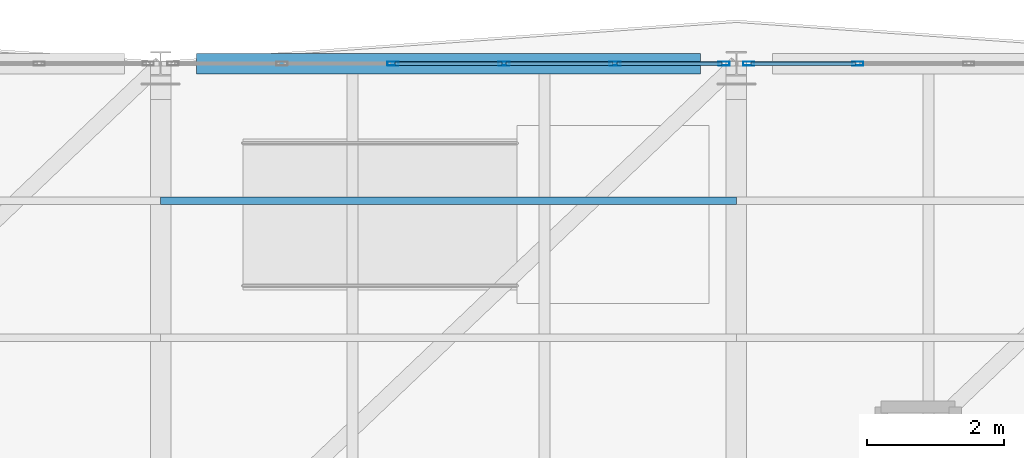
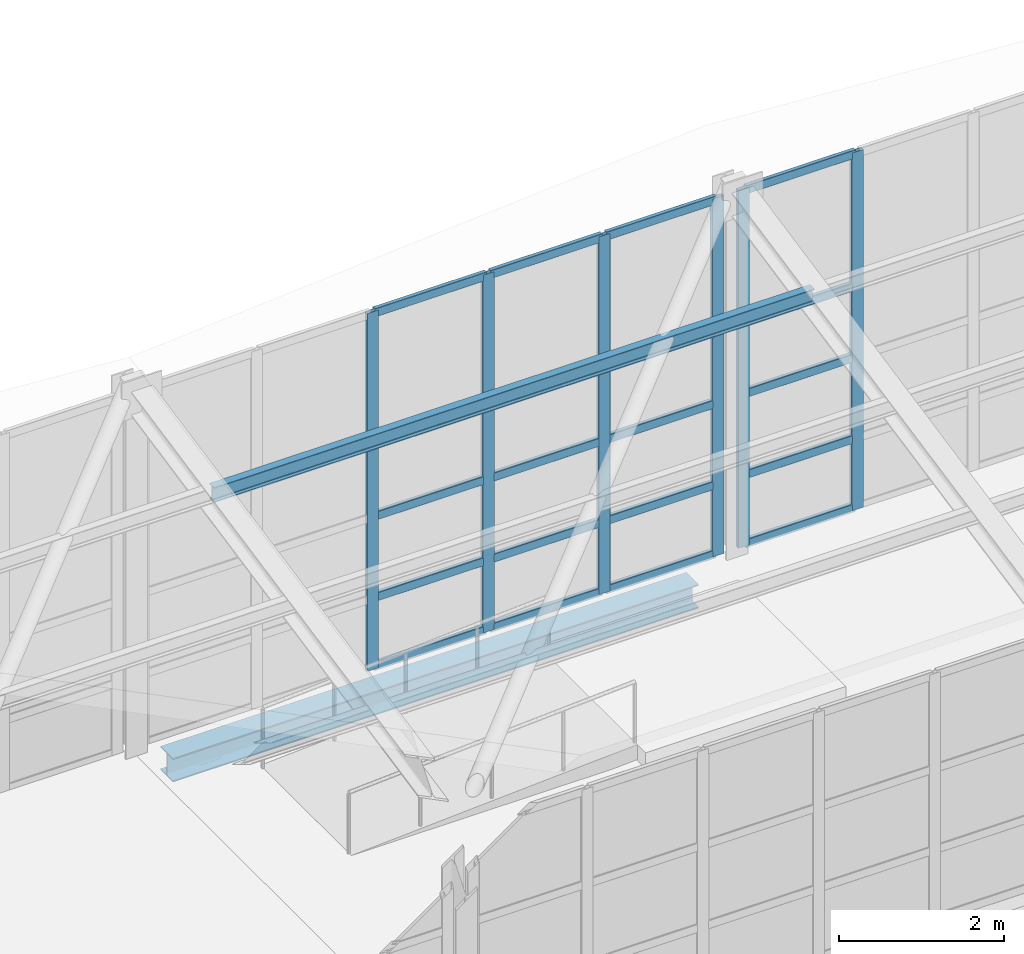
# One storey, part 109 of 177: 27 members, 1 beam, 2 elements without a shape of their own.
"""IFC4 building model written with IfcOpenShell, lengths in metres."""

from ifc_helpers import new_model, si_unit, direction, frame, origin, origin_2d, place, context, subcontext, project, spatial, hollow_rectangle, i_section, extrude, material, layer, layer_set, material_profile, profile_set, type_object, element, aggregate, save


model = new_model("IFC4")

# Units and contexts
model_context = context("Model", 3, precision=1e-05, world=origin(), true_north=direction((0.0, 1.0)))
body_context = subcontext(model_context, "Body", "Model", "MODEL_VIEW")
ifc_project = project(units=[si_unit("LENGTHUNIT", "METRE"), si_unit("AREAUNIT", "SQUARE_METRE"), si_unit("VOLUMEUNIT", "CUBIC_METRE"), si_unit("PLANEANGLEUNIT", "RADIAN"), si_unit("MASSUNIT", "GRAM", prefix="KILO"), si_unit("THERMODYNAMICTEMPERATUREUNIT", "KELVIN"), si_unit("POWERUNIT", "WATT")], contexts=[model_context])

# Site, building, storey
site_placement = place(None, origin())
site = spatial("IfcSite", under=ifc_project, at=site_placement, CompositionType="ELEMENT")
building_placement = place(site_placement, origin())
building = spatial("IfcBuilding", under=site, at=building_placement, Name="Mavoryth Pier Ferry Terminal", CompositionType="ELEMENT")
storey_placement = place(building_placement, frame((0.0, 0.0, 5.43994140625)))
storey = spatial("IfcBuildingStorey", under=building, at=storey_placement, Name="L01", CompositionType="ELEMENT", Elevation=5.43994140625)

# Curtain wall, members
ifc_material_1 = material(Name="Anodised Aluminium and Solar-Control Low-E Glass", Category="aluminium")
ifc_layer = layer(ifc_material_1, 0.139892578125, Name="Anodised Aluminium and Solar-Control Low-E Glass", Category="aluminium")
ifc_layer_set = layer_set([ifc_layer], Name="Anodised Aluminium and Solar-Control Low-E Glass - CW-Gallery-Mod1600")
curtain_wall_type = type_object("IfcCurtainWallType", Name="CW-Gallery-Mod1600", PredefinedType="USERDEFINED", material=ifc_layer_set)
curtain_wall_1_placement = place(storey_placement, origin())
curtain_wall_1 = element("IfcCurtainWall", 1, at=curtain_wall_1_placement, inside=storey, type_object=curtain_wall_type, Name="Curtain Wall CW-0122-084", ObjectType="UNITISED CURTAIN WALL", PredefinedType="USERDEFINED")
ifc_material_2 = material(Name="Anodised Aluminium EN AW-6063", Category="aluminium")
ifc_material_profile_1 = material_profile(ifc_material_2, hollow_rectangle(XDim=0.06005859375, YDim=0.1650390625, WallThickness=0.00390625, InnerFilletRadius=0.00390625, OuterFilletRadius=0.008056640625, at=origin_2d()), Name="AL-MULL 165x60x4", Category="aluminium")
ifc_profile_set_1 = profile_set([ifc_material_profile_1], Name="Anodised Aluminium EN AW-6063 - AL-MULL 165x60x4")
member_type_1 = type_object("IfcMemberType", Name="Mullion-Alum-165x60", PredefinedType="MULLION", material=ifc_profile_set_1)
member_1_placement = place(storey_placement, frame((109.02001953125, 114.0, 0.0), z_axis=(0.0, 0.0, 1.0), x_axis=(0.0, -1.0, 0.0)))
member_1 = element("IfcMember", 2, at=member_1_placement, type_object=member_type_1, Name="CW05 mullion 1", PredefinedType="MULLION", context=body_context, shape_type="SweptSolid", body=[
    extrude(hollow_rectangle(XDim=0.06005859375, YDim=0.1650390625, WallThickness=0.00390625, InnerFilletRadius=0.00390625, OuterFilletRadius=0.008056640625, at=origin_2d()), origin(), (0.0, 0.0, 1.0), 5.28759765625),
])
member_2_placement = place(storey_placement, frame((107.429931640625, 114.0, 0.0), z_axis=(0.0, 0.0, 1.0), x_axis=(0.0, -1.0, 0.0)))
member_2 = element("IfcMember", 3, at=member_2_placement, type_object=member_type_1, Name="CW05 mullion 2", PredefinedType="MULLION", context=body_context, shape_type="SweptSolid", body=[
    extrude(hollow_rectangle(XDim=0.06005859375, YDim=0.1650390625, WallThickness=0.00390625, InnerFilletRadius=0.00390625, OuterFilletRadius=0.008056640625, at=origin_2d()), origin(), (0.0, 0.0, 1.0), 5.28759765625),
])
member_3_placement = place(storey_placement, frame((105.81005859375, 114.0, 0.0), z_axis=(0.0, 0.0, 1.0), x_axis=(0.0, -1.0, 0.0)))
member_3 = element("IfcMember", 4, at=member_3_placement, type_object=member_type_1, Name="CW05 mullion 3", PredefinedType="MULLION", context=body_context, shape_type="SweptSolid", body=[
    extrude(hollow_rectangle(XDim=0.06005859375, YDim=0.1650390625, WallThickness=0.00390625, InnerFilletRadius=0.00390625, OuterFilletRadius=0.008056640625, at=origin_2d()), origin(), (0.0, 0.0, 1.0), 5.28759765625),
])
member_4_placement = place(storey_placement, frame((104.18994140625, 114.0, 0.0), z_axis=(0.0, 0.0, 1.0), x_axis=(0.0, -1.0, 0.0)))
member_4 = element("IfcMember", 5, at=member_4_placement, type_object=member_type_1, Name="CW05 mullion 4", PredefinedType="MULLION", context=body_context, shape_type="SweptSolid", body=[
    extrude(hollow_rectangle(XDim=0.06005859375, YDim=0.1650390625, WallThickness=0.00390625, InnerFilletRadius=0.00390625, OuterFilletRadius=0.008056640625, at=origin_2d()), origin(), (0.0, 0.0, 1.0), 5.28759765625),
])

curtain_wall_2_placement = place(storey_placement, origin())
curtain_wall_2 = element("IfcCurtainWall", 6, at=curtain_wall_2_placement, inside=storey, type_object=curtain_wall_type, Name="Curtain Wall CW-0122-086", ObjectType="UNITISED CURTAIN WALL", PredefinedType="USERDEFINED")
member_5_placement = place(storey_placement, frame((110.969970703125, 114.0, 0.0), z_axis=(0.0, 0.0, 1.0), x_axis=(0.0, -1.0, 0.0)))
member_5 = element("IfcMember", 7, at=member_5_placement, type_object=member_type_1, Name="CW05 mullion 5", PredefinedType="MULLION", context=body_context, shape_type="SweptSolid", body=[
    extrude(hollow_rectangle(XDim=0.06005859375, YDim=0.1650390625, WallThickness=0.00390625, InnerFilletRadius=0.00390625, OuterFilletRadius=0.008056640625, at=origin_2d()), origin(), (0.0, 0.0, 1.0), 5.28759765625),
])
member_6_placement = place(storey_placement, frame((109.3798828125, 114.0, 0.0), z_axis=(0.0, 0.0, 1.0), x_axis=(0.0, -1.0, 0.0)))
member_6 = element("IfcMember", 8, at=member_6_placement, type_object=member_type_1, Name="CW05 mullion 6", PredefinedType="MULLION", context=body_context, shape_type="SweptSolid", body=[
    extrude(hollow_rectangle(XDim=0.06005859375, YDim=0.1650390625, WallThickness=0.00390625, InnerFilletRadius=0.00390625, OuterFilletRadius=0.008056640625, at=origin_2d()), origin(), (0.0, 0.0, 1.0), 5.28759765625),
])

# Member
ifc_material_3 = material(Name="Steel S355J2", Category="steel")
ifc_material_profile_2 = material_profile(ifc_material_3, i_section(OverallWidth=0.110107421875, OverallDepth=0.219970703125, WebThickness=0.005859375, FlangeThickness=0.00927734375, FilletRadius=0.011962890625, at=origin_2d()), Name="IPE 220", Category="steel")
ifc_profile_set_2 = profile_set([ifc_material_profile_2], Name="Steel S355J2 - IPE 220")
member_type_2 = type_object("IfcMemberType", Name="Purlin-Roof-IPE220", PredefinedType="PURLIN", material=ifc_profile_set_2)
member_7_placement = place(storey_placement, frame((100.800048828125, 112.0, 4.991943359375), z_axis=(1.0, 0.0, 0.0), x_axis=(0.0, 1.0, 0.0)))
element("IfcMember", 9, at=member_7_placement, inside=storey, type_object=member_type_2, Name="Steel Member MB-L01-0276", PredefinedType="PURLIN", context=body_context, shape_type="SweptSolid", body=[
    extrude(i_section(OverallWidth=0.110107421875, OverallDepth=0.219970703125, WebThickness=0.005859375, FlangeThickness=0.00927734375, FilletRadius=0.011962890625, at=origin_2d()), origin(), (0.0, 0.0, 1.0), 8.39990234375),
])

# Beam
ifc_material_profile_3 = material_profile(ifc_material_3, i_section(OverallWidth=0.300048828125, OverallDepth=0.35009765625, WebThickness=0.010009765625, FlangeThickness=0.017578125, FilletRadius=0.027099609375, at=origin_2d()), Name="HEA 360", Category="steel")
ifc_profile_set_3 = profile_set([ifc_material_profile_3], Name="Steel S355J2 - HEA 360")
beam_type = type_object("IfcBeamType", Name="Spandrel-Steel-HEA360", PredefinedType="SPANDREL", material=ifc_profile_set_3)
beam_placement = place(storey_placement, frame((101.324951171875, 114.0, -0.4150390625), z_axis=(1.0, 0.0, 0.0), x_axis=(0.0, 1.0, 0.0)))
element("IfcBeam", 10, at=beam_placement, inside=storey, type_object=beam_type, Name="Beam B01-SP03-0272", PredefinedType="SPANDREL", context=body_context, shape_type="SweptSolid", body=[
    extrude(i_section(OverallWidth=0.300048828125, OverallDepth=0.35009765625, WebThickness=0.010009765625, FlangeThickness=0.017578125, FilletRadius=0.027099609375, at=origin_2d()), origin(), (0.0, 0.0, 1.0), 7.35009765625),
])

# Member
ifc_material_profile_4 = material_profile(ifc_material_2, hollow_rectangle(XDim=0.06005859375, YDim=0.125, WallThickness=0.00390625, InnerFilletRadius=0.00390625, OuterFilletRadius=0.008056640625, at=origin_2d()), Name="AL-TRAN 125x60x4", Category="aluminium")
ifc_profile_set_4 = profile_set([ifc_material_profile_4], Name="Anodised Aluminium EN AW-6063 - AL-TRAN 125x60x4")
member_type_3 = type_object("IfcMemberType", Name="Transom-Alum-125x60", PredefinedType="USERDEFINED", material=ifc_profile_set_4)
member_8_placement = place(storey_placement, frame((108.989990234375, 114.0, 0.030029296875), z_axis=(-1.0, 0.0, 0.0), x_axis=(0.0, -1.0, 0.0)))
member_8 = element("IfcMember", 11, at=member_8_placement, type_object=member_type_3, Name="CW05 transom 1.1", ObjectType="TRANSOM", PredefinedType="USERDEFINED", context=body_context, shape_type="SweptSolid", body=[
    extrude(hollow_rectangle(XDim=0.06005859375, YDim=0.125, WallThickness=0.00390625, InnerFilletRadius=0.00390625, OuterFilletRadius=0.008056640625, at=origin_2d()), origin(), (0.0, 0.0, 1.0), 1.530029296875),
])

member_9_placement = place(storey_placement, frame((108.989990234375, 114.0, 1.050048828125), z_axis=(-1.0, 0.0, 0.0), x_axis=(0.0, -1.0, 0.0)))
member_9 = element("IfcMember", 12, at=member_9_placement, type_object=member_type_3, Name="CW05 transom 1.2", ObjectType="TRANSOM", PredefinedType="USERDEFINED", context=body_context, shape_type="SweptSolid", body=[
    extrude(hollow_rectangle(XDim=0.06005859375, YDim=0.125, WallThickness=0.00390625, InnerFilletRadius=0.00390625, OuterFilletRadius=0.008056640625, at=origin_2d()), origin(), (0.0, 0.0, 1.0), 1.530029296875),
])

member_10_placement = place(storey_placement, frame((108.989990234375, 114.0, 2.25), z_axis=(-1.0, 0.0, 0.0), x_axis=(0.0, -1.0, 0.0)))
member_10 = element("IfcMember", 13, at=member_10_placement, type_object=member_type_3, Name="CW05 transom 1.3", ObjectType="TRANSOM", PredefinedType="USERDEFINED", context=body_context, shape_type="SweptSolid", body=[
    extrude(hollow_rectangle(XDim=0.06005859375, YDim=0.125, WallThickness=0.00390625, InnerFilletRadius=0.00390625, OuterFilletRadius=0.008056640625, at=origin_2d()), origin(), (0.0, 0.0, 1.0), 1.530029296875),
])

member_11_placement = place(storey_placement, frame((108.989990234375, 114.0, 3.300048828125), z_axis=(-1.0, 0.0, 0.0), x_axis=(0.0, -1.0, 0.0)))
member_11 = element("IfcMember", 14, at=member_11_placement, type_object=member_type_3, Name="CW05 transom 1.4", ObjectType="TRANSOM", PredefinedType="USERDEFINED", context=body_context, shape_type="SweptSolid", body=[
    extrude(hollow_rectangle(XDim=0.06005859375, YDim=0.125, WallThickness=0.00390625, InnerFilletRadius=0.00390625, OuterFilletRadius=0.008056640625, at=origin_2d()), origin(), (0.0, 0.0, 1.0), 1.530029296875),
])

member_12_placement = place(storey_placement, frame((108.989990234375, 114.0, 5.257568359375), z_axis=(-1.0, 0.0, 0.0), x_axis=(0.0, -1.0, 0.0)))
member_12 = element("IfcMember", 15, at=member_12_placement, type_object=member_type_3, Name="CW05 transom 1.5", ObjectType="TRANSOM", PredefinedType="USERDEFINED", context=body_context, shape_type="SweptSolid", body=[
    extrude(hollow_rectangle(XDim=0.06005859375, YDim=0.125, WallThickness=0.00390625, InnerFilletRadius=0.00390625, OuterFilletRadius=0.008056640625, at=origin_2d()), origin(), (0.0, 0.0, 1.0), 1.530029296875),
])

member_13_placement = place(storey_placement, frame((107.39990234375, 114.0, 0.030029296875), z_axis=(-1.0, 0.0, 0.0), x_axis=(0.0, -1.0, 0.0)))
member_13 = element("IfcMember", 16, at=member_13_placement, type_object=member_type_3, Name="CW05 transom 2.1", ObjectType="TRANSOM", PredefinedType="USERDEFINED", context=body_context, shape_type="SweptSolid", body=[
    extrude(hollow_rectangle(XDim=0.06005859375, YDim=0.125, WallThickness=0.00390625, InnerFilletRadius=0.00390625, OuterFilletRadius=0.008056640625, at=origin_2d()), origin(), (0.0, 0.0, 1.0), 1.559814453125),
])

member_14_placement = place(storey_placement, frame((107.39990234375, 114.0, 1.050048828125), z_axis=(-1.0, 0.0, 0.0), x_axis=(0.0, -1.0, 0.0)))
member_14 = element("IfcMember", 17, at=member_14_placement, type_object=member_type_3, Name="CW05 transom 2.2", ObjectType="TRANSOM", PredefinedType="USERDEFINED", context=body_context, shape_type="SweptSolid", body=[
    extrude(hollow_rectangle(XDim=0.06005859375, YDim=0.125, WallThickness=0.00390625, InnerFilletRadius=0.00390625, OuterFilletRadius=0.008056640625, at=origin_2d()), origin(), (0.0, 0.0, 1.0), 1.559814453125),
])

member_15_placement = place(storey_placement, frame((107.39990234375, 114.0, 2.25), z_axis=(-1.0, 0.0, 0.0), x_axis=(0.0, -1.0, 0.0)))
member_15 = element("IfcMember", 18, at=member_15_placement, type_object=member_type_3, Name="CW05 transom 2.3", ObjectType="TRANSOM", PredefinedType="USERDEFINED", context=body_context, shape_type="SweptSolid", body=[
    extrude(hollow_rectangle(XDim=0.06005859375, YDim=0.125, WallThickness=0.00390625, InnerFilletRadius=0.00390625, OuterFilletRadius=0.008056640625, at=origin_2d()), origin(), (0.0, 0.0, 1.0), 1.559814453125),
])

member_16_placement = place(storey_placement, frame((107.39990234375, 114.0, 3.300048828125), z_axis=(-1.0, 0.0, 0.0), x_axis=(0.0, -1.0, 0.0)))
member_16 = element("IfcMember", 19, at=member_16_placement, type_object=member_type_3, Name="CW05 transom 2.4", ObjectType="TRANSOM", PredefinedType="USERDEFINED", context=body_context, shape_type="SweptSolid", body=[
    extrude(hollow_rectangle(XDim=0.06005859375, YDim=0.125, WallThickness=0.00390625, InnerFilletRadius=0.00390625, OuterFilletRadius=0.008056640625, at=origin_2d()), origin(), (0.0, 0.0, 1.0), 1.559814453125),
])

member_17_placement = place(storey_placement, frame((107.39990234375, 114.0, 5.257568359375), z_axis=(-1.0, 0.0, 0.0), x_axis=(0.0, -1.0, 0.0)))
member_17 = element("IfcMember", 20, at=member_17_placement, type_object=member_type_3, Name="CW05 transom 2.5", ObjectType="TRANSOM", PredefinedType="USERDEFINED", context=body_context, shape_type="SweptSolid", body=[
    extrude(hollow_rectangle(XDim=0.06005859375, YDim=0.125, WallThickness=0.00390625, InnerFilletRadius=0.00390625, OuterFilletRadius=0.008056640625, at=origin_2d()), origin(), (0.0, 0.0, 1.0), 1.559814453125),
])

member_18_placement = place(storey_placement, frame((105.780029296875, 114.0, 0.030029296875), z_axis=(-1.0, 0.0, 0.0), x_axis=(0.0, -1.0, 0.0)))
member_18 = element("IfcMember", 21, at=member_18_placement, type_object=member_type_3, Name="CW05 transom 3.1", ObjectType="TRANSOM", PredefinedType="USERDEFINED", context=body_context, shape_type="SweptSolid", body=[
    extrude(hollow_rectangle(XDim=0.06005859375, YDim=0.125, WallThickness=0.00390625, InnerFilletRadius=0.00390625, OuterFilletRadius=0.008056640625, at=origin_2d()), origin(), (0.0, 0.0, 1.0), 1.56005859375),
])

member_19_placement = place(storey_placement, frame((105.780029296875, 114.0, 1.050048828125), z_axis=(-1.0, 0.0, 0.0), x_axis=(0.0, -1.0, 0.0)))
member_19 = element("IfcMember", 22, at=member_19_placement, type_object=member_type_3, Name="CW05 transom 3.2", ObjectType="TRANSOM", PredefinedType="USERDEFINED", context=body_context, shape_type="SweptSolid", body=[
    extrude(hollow_rectangle(XDim=0.06005859375, YDim=0.125, WallThickness=0.00390625, InnerFilletRadius=0.00390625, OuterFilletRadius=0.008056640625, at=origin_2d()), origin(), (0.0, 0.0, 1.0), 1.56005859375),
])

member_20_placement = place(storey_placement, frame((105.780029296875, 114.0, 2.25), z_axis=(-1.0, 0.0, 0.0), x_axis=(0.0, -1.0, 0.0)))
member_20 = element("IfcMember", 23, at=member_20_placement, type_object=member_type_3, Name="CW05 transom 3.3", ObjectType="TRANSOM", PredefinedType="USERDEFINED", context=body_context, shape_type="SweptSolid", body=[
    extrude(hollow_rectangle(XDim=0.06005859375, YDim=0.125, WallThickness=0.00390625, InnerFilletRadius=0.00390625, OuterFilletRadius=0.008056640625, at=origin_2d()), origin(), (0.0, 0.0, 1.0), 1.56005859375),
])

member_21_placement = place(storey_placement, frame((105.780029296875, 114.0, 3.300048828125), z_axis=(-1.0, 0.0, 0.0), x_axis=(0.0, -1.0, 0.0)))
member_21 = element("IfcMember", 24, at=member_21_placement, type_object=member_type_3, Name="CW05 transom 3.4", ObjectType="TRANSOM", PredefinedType="USERDEFINED", context=body_context, shape_type="SweptSolid", body=[
    extrude(hollow_rectangle(XDim=0.06005859375, YDim=0.125, WallThickness=0.00390625, InnerFilletRadius=0.00390625, OuterFilletRadius=0.008056640625, at=origin_2d()), origin(), (0.0, 0.0, 1.0), 1.56005859375),
])

member_22_placement = place(storey_placement, frame((105.780029296875, 114.0, 5.257568359375), z_axis=(-1.0, 0.0, 0.0), x_axis=(0.0, -1.0, 0.0)))
member_22 = element("IfcMember", 25, at=member_22_placement, type_object=member_type_3, Name="CW05 transom 3.5", ObjectType="TRANSOM", PredefinedType="USERDEFINED", context=body_context, shape_type="SweptSolid", body=[
    extrude(hollow_rectangle(XDim=0.06005859375, YDim=0.125, WallThickness=0.00390625, InnerFilletRadius=0.00390625, OuterFilletRadius=0.008056640625, at=origin_2d()), origin(), (0.0, 0.0, 1.0), 1.56005859375),
])

aggregate(curtain_wall_1, [member_1, member_2, member_3, member_4, member_8, member_9, member_10, member_11, member_12, member_13, member_14, member_15, member_16, member_17, member_18, member_19, member_20, member_21, member_22])

member_23_placement = place(storey_placement, frame((110.93994140625, 114.0, 0.030029296875), z_axis=(-1.0, 0.0, 0.0), x_axis=(0.0, -1.0, 0.0)))
member_23 = element("IfcMember", 26, at=member_23_placement, type_object=member_type_3, Name="CW05 transom 5.1", ObjectType="TRANSOM", PredefinedType="USERDEFINED", context=body_context, shape_type="SweptSolid", body=[
    extrude(hollow_rectangle(XDim=0.06005859375, YDim=0.125, WallThickness=0.00390625, InnerFilletRadius=0.00390625, OuterFilletRadius=0.008056640625, at=origin_2d()), origin(), (0.0, 0.0, 1.0), 1.530029296875),
])

member_24_placement = place(storey_placement, frame((110.93994140625, 114.0, 1.050048828125), z_axis=(-1.0, 0.0, 0.0), x_axis=(0.0, -1.0, 0.0)))
member_24 = element("IfcMember", 27, at=member_24_placement, type_object=member_type_3, Name="CW05 transom 5.2", ObjectType="TRANSOM", PredefinedType="USERDEFINED", context=body_context, shape_type="SweptSolid", body=[
    extrude(hollow_rectangle(XDim=0.06005859375, YDim=0.125, WallThickness=0.00390625, InnerFilletRadius=0.00390625, OuterFilletRadius=0.008056640625, at=origin_2d()), origin(), (0.0, 0.0, 1.0), 1.530029296875),
])

member_25_placement = place(storey_placement, frame((110.93994140625, 114.0, 2.25), z_axis=(-1.0, 0.0, 0.0), x_axis=(0.0, -1.0, 0.0)))
member_25 = element("IfcMember", 28, at=member_25_placement, type_object=member_type_3, Name="CW05 transom 5.3", ObjectType="TRANSOM", PredefinedType="USERDEFINED", context=body_context, shape_type="SweptSolid", body=[
    extrude(hollow_rectangle(XDim=0.06005859375, YDim=0.125, WallThickness=0.00390625, InnerFilletRadius=0.00390625, OuterFilletRadius=0.008056640625, at=origin_2d()), origin(), (0.0, 0.0, 1.0), 1.530029296875),
])

member_26_placement = place(storey_placement, frame((110.93994140625, 114.0, 3.300048828125), z_axis=(-1.0, 0.0, 0.0), x_axis=(0.0, -1.0, 0.0)))
member_26 = element("IfcMember", 29, at=member_26_placement, type_object=member_type_3, Name="CW05 transom 5.4", ObjectType="TRANSOM", PredefinedType="USERDEFINED", context=body_context, shape_type="SweptSolid", body=[
    extrude(hollow_rectangle(XDim=0.06005859375, YDim=0.125, WallThickness=0.00390625, InnerFilletRadius=0.00390625, OuterFilletRadius=0.008056640625, at=origin_2d()), origin(), (0.0, 0.0, 1.0), 1.530029296875),
])

member_27_placement = place(storey_placement, frame((110.93994140625, 114.0, 5.257568359375), z_axis=(-1.0, 0.0, 0.0), x_axis=(0.0, -1.0, 0.0)))
member_27 = element("IfcMember", 30, at=member_27_placement, type_object=member_type_3, Name="CW05 transom 5.5", ObjectType="TRANSOM", PredefinedType="USERDEFINED", context=body_context, shape_type="SweptSolid", body=[
    extrude(hollow_rectangle(XDim=0.06005859375, YDim=0.125, WallThickness=0.00390625, InnerFilletRadius=0.00390625, OuterFilletRadius=0.008056640625, at=origin_2d()), origin(), (0.0, 0.0, 1.0), 1.530029296875),
])

aggregate(curtain_wall_2, [member_5, member_6, member_23, member_24, member_25, member_26, member_27])

save(model, "model.ifc")
